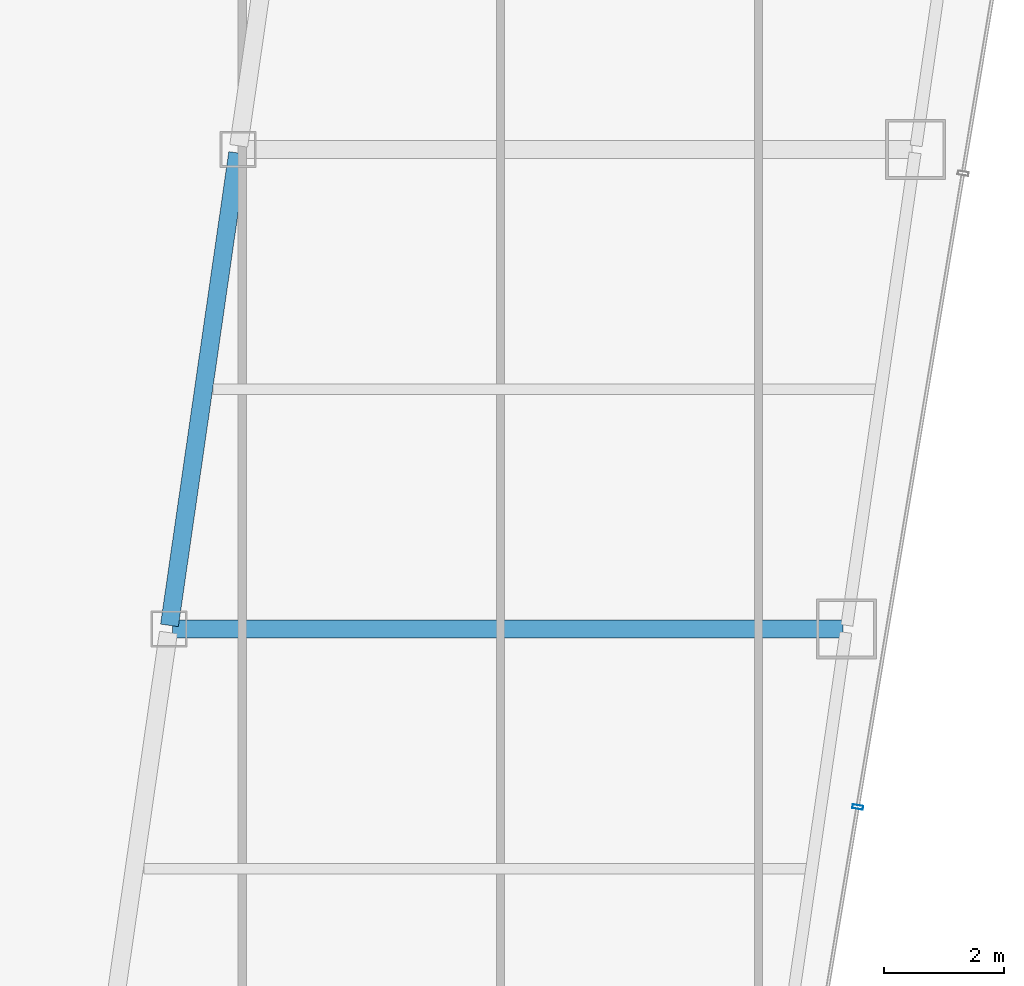
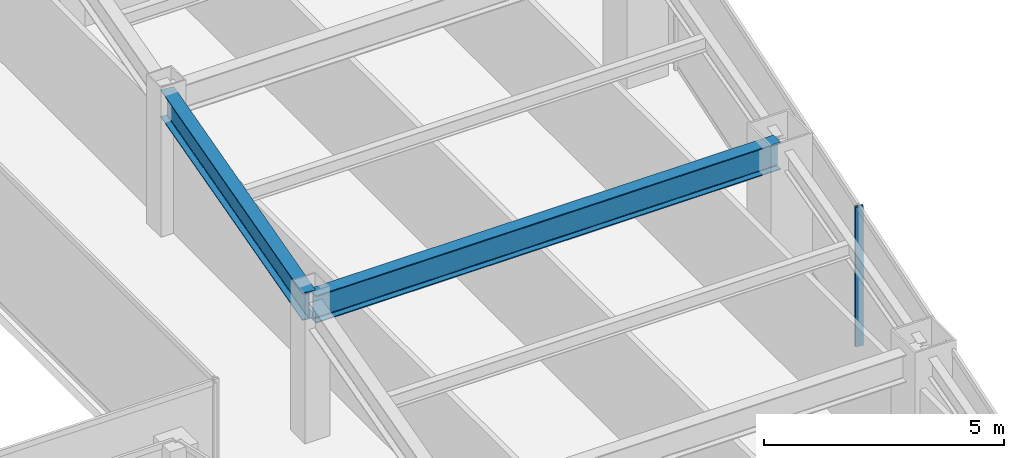
# One storey, part 16 of 37: 2 beams, 1 member, 1 element without a shape of its own.
"""IFC4 building model written with IfcOpenShell, lengths in metres."""

from ifc_helpers import new_model, si_unit, direction, frame, origin, origin_2d, place, context, subcontext, project, spatial, hollow_rectangle, i_section, extrude, material, material_profile, profile_set, type_object, element, aggregate, save


model = new_model("IFC4")

# Units and contexts
model_context = context("Model", 3, precision=1e-05, world=origin(), true_north=direction((0.0, 1.0)))
body_context = subcontext(model_context, "Body", "Model", "MODEL_VIEW")
ifc_project = project(units=[si_unit("LENGTHUNIT", "METRE"), si_unit("AREAUNIT", "SQUARE_METRE"), si_unit("VOLUMEUNIT", "CUBIC_METRE"), si_unit("PLANEANGLEUNIT", "RADIAN"), si_unit("MASSUNIT", "GRAM", prefix="KILO")], contexts=[model_context])

# Site, building, storey
site_placement = place(None, origin())
site = spatial("IfcSite", under=ifc_project, at=site_placement, CompositionType="ELEMENT")
building_placement = place(site_placement, origin())
building = spatial("IfcBuilding", under=site, at=building_placement, Name="Saevonmaru Cultural Tower", CompositionType="ELEMENT")
storey_placement = place(building_placement, frame((0.0, 0.0, 144.800048828125)))
storey = spatial("IfcBuildingStorey", under=building, at=storey_placement, Name="L31", CompositionType="ELEMENT", Elevation=144.800048828125)

# Beams
ifc_material_1 = material(Name="Steel SM355", Category="steel")
ifc_material_profile_1 = material_profile(ifc_material_1, i_section(OverallWidth=0.300048828125, OverallDepth=0.699951171875, WebThickness=0.012939453125, FlangeThickness=0.02392578125, FilletRadius=0.02587890625, at=origin_2d()), Name="H-700x300x13x24")
ifc_profile_set_1 = profile_set([ifc_material_profile_1], Name="Steel SM355")
beam_type = type_object("IfcBeamType", Name="BM-G-H700", PredefinedType="BEAM", material=ifc_profile_set_1)
beam_1_placement = place(storey_placement, frame((39.236572265625, 24.059326171875, 3.199951171875), z_axis=(0.142902032203, 0.989736838353, 0.0), x_axis=(-0.989736838353, 0.142902032203, 0.0)))
element("IfcBeam", 1, at=beam_1_placement, inside=storey, type_object=beam_type, Name="L31 East Atrium Girder 3", PredefinedType="BEAM", context=body_context, shape_type="SweptSolid", body=[
    extrude(i_section(OverallWidth=0.300048828125, OverallDepth=0.699951171875, WebThickness=0.012939453125, FlangeThickness=0.02392578125, FilletRadius=0.02587890625, at=origin_2d()), origin(), (0.0, 0.0, 1.0), 7.963134765625),
])
beam_2_placement = place(storey_placement, frame((39.2880859375, 24.0, 3.199951171875), z_axis=(1.0, 0.0, 0.0), x_axis=(0.0, 1.0, 0.0)))
element("IfcBeam", 2, at=beam_2_placement, inside=storey, type_object=beam_type, Name="L31 East Wing Transverse Girder 3", PredefinedType="BEAM", context=body_context, shape_type="SweptSolid", body=[
    extrude(i_section(OverallWidth=0.300048828125, OverallDepth=0.699951171875, WebThickness=0.012939453125, FlangeThickness=0.02392578125, FilletRadius=0.02587890625, at=origin_2d()), origin(), (0.0, 0.0, 1.0), 11.179931640625),
])

# Curtain wall, member
ifc_material_2 = material(Name="Satin Bronze Anodised Aluminium", Category="aluminium")
curtain_wall_type = type_object("IfcCurtainWallType", Name="CW-TYP-A", PredefinedType="NOTDEFINED", material=ifc_material_2)
curtain_wall_placement = place(storey_placement, origin())
curtain_wall = element("IfcCurtainWall", 3, at=curtain_wall_placement, inside=storey, type_object=curtain_wall_type, Name="L31 Unitised Curtain Wall E8", PredefinedType="NOTDEFINED")
ifc_material_profile_2 = material_profile(ifc_material_2, hollow_rectangle(XDim=0.06494140625, YDim=0.179931640625, WallThickness=0.00390625, at=origin_2d()), Name="ALU-MULL-180x65x4")
ifc_profile_set_2 = profile_set([ifc_material_profile_2], Name="Satin Bronze Anodised Aluminium")
member_type = type_object("IfcMemberType", Name="ML-CW-180x65", PredefinedType="MULLION", material=ifc_profile_set_2)
member_placement = place(storey_placement, frame((50.71826171875, 21.029541015625, 0.0), z_axis=(0.0, 0.0, 1.0), x_axis=(0.163998702345, 0.986460554523, 0.0)))
member = element("IfcMember", 4, at=member_placement, type_object=member_type, Name="CW-TW-L31-E8 mullion 2", PredefinedType="MULLION", context=body_context, shape_type="SweptSolid", body=[
    extrude(hollow_rectangle(XDim=0.06494140625, YDim=0.179931640625, WallThickness=0.00390625, at=origin_2d()), origin(), (0.0, 0.0, 1.0), 3.550048828125),
])
aggregate(curtain_wall, [member])

save(model, "model.ifc")
